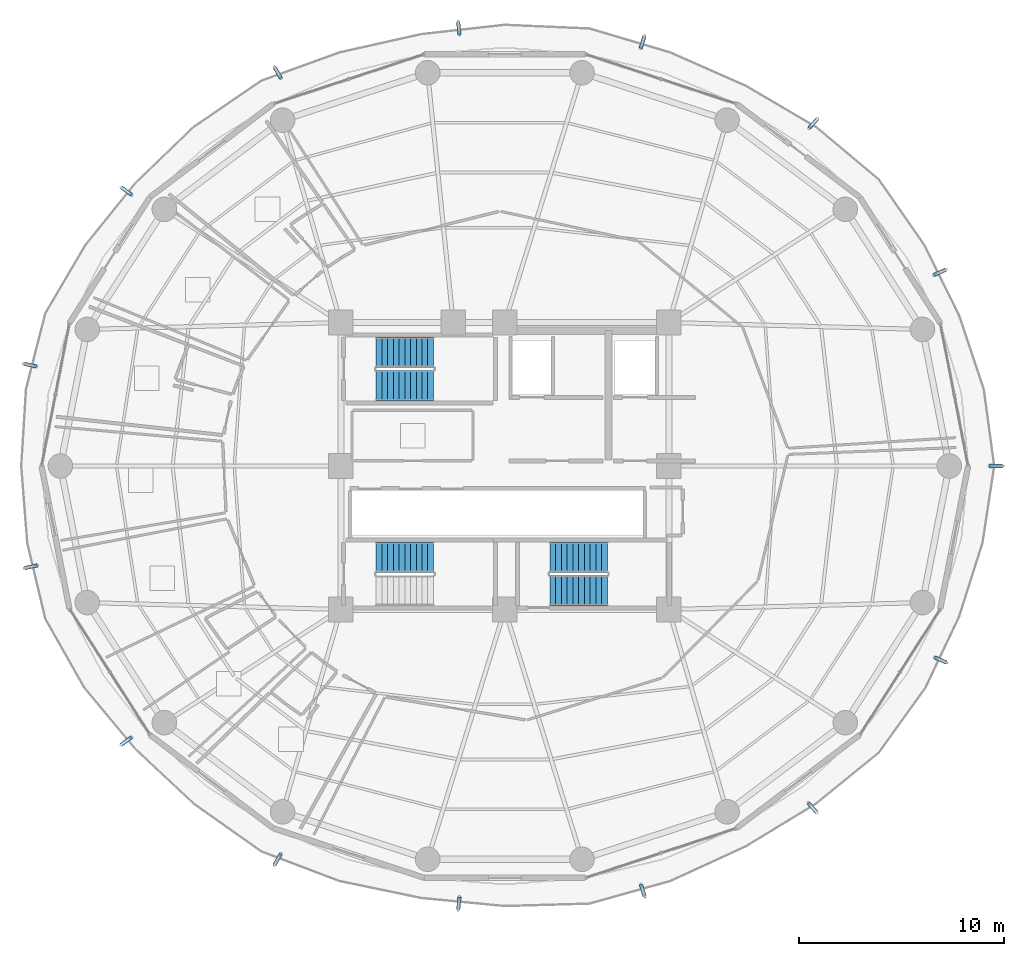
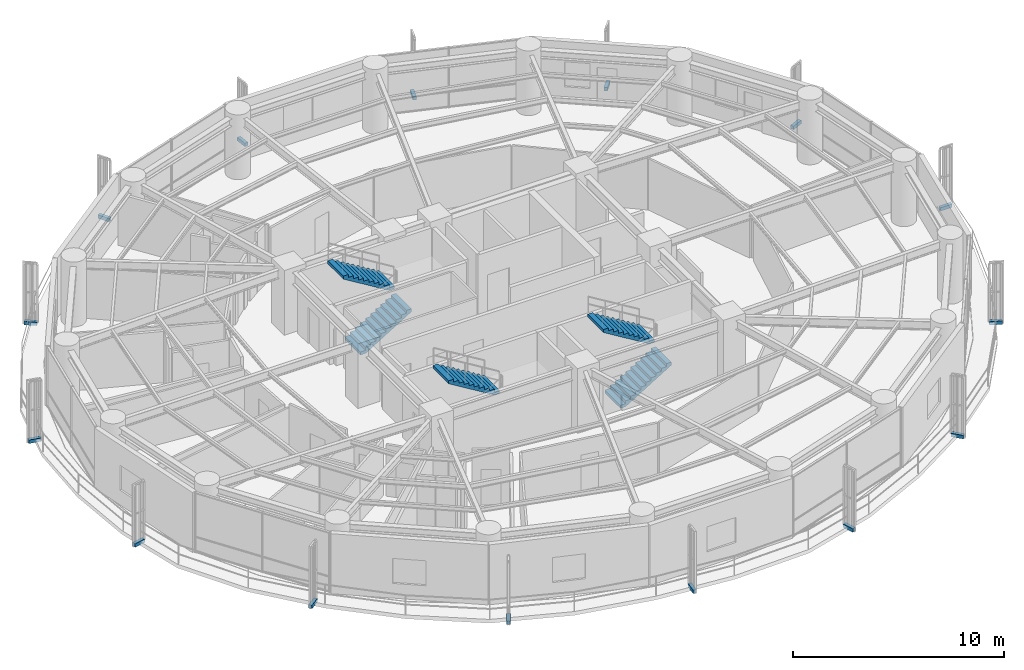
# One storey, part 25 of 28: 15 discrete accessories, 5 stair flights, 3 elements without a shape of their own.
"""IFC4 building model written with IfcOpenShell, lengths in metres."""

from ifc_helpers import new_model, si_unit, direction, frame, origin, origin_2d, place, context, subcontext, project, spatial, polyline, rectangle, outline, extrude, source, transform, mapped, material, type_object, element, aggregate, save


model = new_model("IFC4")

# Units and contexts
model_context = context("Model", 3, precision=1e-05, world=origin(), true_north=direction((0.0, 1.0)))
body_context = subcontext(model_context, "Body", "Model", "MODEL_VIEW")
ifc_project = project(units=[si_unit("LENGTHUNIT", "METRE"), si_unit("AREAUNIT", "SQUARE_METRE"), si_unit("VOLUMEUNIT", "CUBIC_METRE"), si_unit("PLANEANGLEUNIT", "RADIAN"), si_unit("MASSUNIT", "GRAM", prefix="KILO")], contexts=[model_context])

# Site, building, storey
site_placement = place(None, origin())
site = spatial("IfcSite", under=ifc_project, at=site_placement, CompositionType="ELEMENT")
building_placement = place(site_placement, origin())
building = spatial("IfcBuilding", under=site, at=building_placement, Name="Kelanora Arch Commons", CompositionType="ELEMENT")
storey_placement = place(building_placement, frame((0.0, 0.0, 158.10009765625)))
storey = spatial("IfcBuildingStorey", under=building, at=storey_placement, Name="L40", CompositionType="ELEMENT", Elevation=158.10009765625)

# Stair, stair flights
ifc_material_1 = material(Name="Concrete C40/50", Category="concrete")
stair_type = type_object("IfcStairType", Name="STR-DL-375", PredefinedType="HALF_TURN_STAIR", material=ifc_material_1)
stair_1_placement = place(storey_placement, origin())
stair_1 = element("IfcStair", 1, at=stair_1_placement, inside=storey, type_object=stair_type, Name="L40 ST-T1", PredefinedType="HALF_TURN_STAIR")
stair_flight_type = type_object("IfcStairFlightType", Name="FLT-DL-375", PredefinedType="STRAIGHT", material=ifc_material_1)
stair_flight_1_placement = place(storey_placement, frame((67.719970703125, 61.919921875, 0.0), z_axis=(0.0, 0.0, 1.0), x_axis=(1.0, 0.0, 0.0)))
stair_flight_1 = element("IfcStairFlight", 2, at=stair_flight_1_placement, type_object=stair_flight_type, Name="ST-T1 flight 1", NumberOfRisers=11, NumberOfTreads=10, PredefinedType="STRAIGHT", RiserHeight=0.170454545, TreadLength=0.28, context=body_context, shape_type="SweptSolid", body=[
    extrude(outline(polyline([(0.0, 0.0), (0.0, 0.17041015625), (0.280029296875, 0.17041015625), (0.280029296875, 0.3408203125), (0.56005859375, 0.3408203125), (0.56005859375, 0.511474609375), (0.840087890625, 0.511474609375), (0.840087890625, 0.681884765625), (1.1201171875, 0.681884765625), (1.1201171875, 0.852294921875), (1.39990234375, 0.852294921875), (1.39990234375, 1.022705078125), (1.679931640625, 1.022705078125), (1.679931640625, 1.193115234375), (1.9599609375, 1.193115234375), (1.9599609375, 1.363525390625), (2.239990234375, 1.363525390625), (2.239990234375, 1.5341796875), (2.52001953125, 1.5341796875), (2.52001953125, 1.70458984375), (2.800048828125, 1.70458984375), (2.800048828125, 1.875), (2.800048828125, 1.529052734375), (0.288330078125, 0.0), (0.0, 0.0)])), frame((0.0, 0.739990234375, 0.0), z_axis=(0.0, -1.0, 0.0), x_axis=(1.0, 0.0, 0.0)), (0.0, 0.0, 1.0), 1.47998046875),
])
stair_flight_2_placement = place(storey_placement, frame((70.52001953125, 63.550048828125, 1.875), z_axis=(0.0, 0.0, 1.0), x_axis=(-1.0, 0.0, 0.0)))
stair_flight_2 = element("IfcStairFlight", 3, at=stair_flight_2_placement, type_object=stair_flight_type, Name="ST-T1 flight 2", NumberOfRisers=11, NumberOfTreads=10, PredefinedType="STRAIGHT", RiserHeight=0.170454545, TreadLength=0.28, context=body_context, shape_type="SweptSolid", body=[
    extrude(outline(polyline([(0.0, 0.0), (0.0, 0.17041015625), (0.280029296875, 0.17041015625), (0.280029296875, 0.3408203125), (0.56005859375, 0.3408203125), (0.56005859375, 0.511474609375), (0.840087890625, 0.511474609375), (0.840087890625, 0.681884765625), (1.1201171875, 0.681884765625), (1.1201171875, 0.852294921875), (1.39990234375, 0.852294921875), (1.39990234375, 1.022705078125), (1.679931640625, 1.022705078125), (1.679931640625, 1.193115234375), (1.9599609375, 1.193115234375), (1.9599609375, 1.363525390625), (2.239990234375, 1.363525390625), (2.239990234375, 1.5341796875), (2.52001953125, 1.5341796875), (2.52001953125, 1.70458984375), (2.800048828125, 1.70458984375), (2.800048828125, 1.875), (2.800048828125, 1.529052734375), (0.288330078125, 0.0), (0.0, 0.0)])), frame((0.0, 0.739990234375, 0.0), z_axis=(0.0, -1.0, 0.0), x_axis=(1.0, 0.0, 0.0)), (0.0, 0.0, 1.0), 1.47998046875),
])
aggregate(stair_1, [stair_flight_1, stair_flight_2])

stair_2_placement = place(storey_placement, origin())
stair_2 = element("IfcStair", 4, at=stair_2_placement, inside=storey, type_object=stair_type, Name="L40 ST-T2", PredefinedType="HALF_TURN_STAIR")
stair_flight_3_placement = place(storey_placement, frame((76.199951171875, 51.919921875, 0.0), z_axis=(0.0, 0.0, 1.0), x_axis=(1.0, 0.0, 0.0)))
stair_flight_3 = element("IfcStairFlight", 5, at=stair_flight_3_placement, type_object=stair_flight_type, Name="ST-T2 flight 1", NumberOfRisers=11, NumberOfTreads=10, PredefinedType="STRAIGHT", RiserHeight=0.170454545, TreadLength=0.28, context=body_context, shape_type="SweptSolid", body=[
    extrude(outline(polyline([(0.0, 0.0), (0.0, 0.17041015625), (0.280029296875, 0.17041015625), (0.280029296875, 0.3408203125), (0.56005859375, 0.3408203125), (0.56005859375, 0.511474609375), (0.840087890625, 0.511474609375), (0.840087890625, 0.681884765625), (1.1201171875, 0.681884765625), (1.1201171875, 0.852294921875), (1.39990234375, 0.852294921875), (1.39990234375, 1.022705078125), (1.679931640625, 1.022705078125), (1.679931640625, 1.193115234375), (1.9599609375, 1.193115234375), (1.9599609375, 1.363525390625), (2.239990234375, 1.363525390625), (2.239990234375, 1.5341796875), (2.52001953125, 1.5341796875), (2.52001953125, 1.70458984375), (2.800048828125, 1.70458984375), (2.800048828125, 1.875), (2.800048828125, 1.529052734375), (0.288330078125, 0.0), (0.0, 0.0)])), frame((0.0, 0.739990234375, 0.0), z_axis=(0.0, -1.0, 0.0), x_axis=(1.0, 0.0, 0.0)), (0.0, 0.0, 1.0), 1.47998046875),
])
stair_flight_4_placement = place(storey_placement, frame((79.0, 53.550048828125, 1.875), z_axis=(0.0, 0.0, 1.0), x_axis=(-1.0, 0.0, 0.0)))
stair_flight_4 = element("IfcStairFlight", 6, at=stair_flight_4_placement, type_object=stair_flight_type, Name="ST-T2 flight 2", NumberOfRisers=11, NumberOfTreads=10, PredefinedType="STRAIGHT", RiserHeight=0.170454545, TreadLength=0.28, context=body_context, shape_type="SweptSolid", body=[
    extrude(outline(polyline([(0.0, 0.0), (0.0, 0.17041015625), (0.280029296875, 0.17041015625), (0.280029296875, 0.3408203125), (0.56005859375, 0.3408203125), (0.56005859375, 0.511474609375), (0.840087890625, 0.511474609375), (0.840087890625, 0.681884765625), (1.1201171875, 0.681884765625), (1.1201171875, 0.852294921875), (1.39990234375, 0.852294921875), (1.39990234375, 1.022705078125), (1.679931640625, 1.022705078125), (1.679931640625, 1.193115234375), (1.9599609375, 1.193115234375), (1.9599609375, 1.363525390625), (2.239990234375, 1.363525390625), (2.239990234375, 1.5341796875), (2.52001953125, 1.5341796875), (2.52001953125, 1.70458984375), (2.800048828125, 1.70458984375), (2.800048828125, 1.875), (2.800048828125, 1.529052734375), (0.288330078125, 0.0), (0.0, 0.0)])), frame((0.0, 0.739990234375, 0.0), z_axis=(0.0, -1.0, 0.0), x_axis=(1.0, 0.0, 0.0)), (0.0, 0.0, 1.0), 1.47998046875),
])
aggregate(stair_2, [stair_flight_3, stair_flight_4])

# Stair, stair flight
stair_3_placement = place(storey_placement, origin())
stair_3 = element("IfcStair", 7, at=stair_3_placement, inside=storey, type_object=stair_type, Name="L40 ST-T3", PredefinedType="HALF_TURN_STAIR")
stair_flight_5_placement = place(storey_placement, frame((70.52001953125, 53.550048828125, 1.875), z_axis=(0.0, 0.0, 1.0), x_axis=(-1.0, 0.0, 0.0)))
stair_flight_5 = element("IfcStairFlight", 8, at=stair_flight_5_placement, type_object=stair_flight_type, Name="ST-T3 flight 2", NumberOfRisers=11, NumberOfTreads=10, PredefinedType="STRAIGHT", RiserHeight=0.170454545, TreadLength=0.28, context=body_context, shape_type="SweptSolid", body=[
    extrude(outline(polyline([(0.0, 0.0), (0.0, 0.17041015625), (0.280029296875, 0.17041015625), (0.280029296875, 0.3408203125), (0.56005859375, 0.3408203125), (0.56005859375, 0.511474609375), (0.840087890625, 0.511474609375), (0.840087890625, 0.681884765625), (1.1201171875, 0.681884765625), (1.1201171875, 0.852294921875), (1.39990234375, 0.852294921875), (1.39990234375, 1.022705078125), (1.679931640625, 1.022705078125), (1.679931640625, 1.193115234375), (1.9599609375, 1.193115234375), (1.9599609375, 1.363525390625), (2.239990234375, 1.363525390625), (2.239990234375, 1.5341796875), (2.52001953125, 1.5341796875), (2.52001953125, 1.70458984375), (2.800048828125, 1.70458984375), (2.800048828125, 1.875), (2.800048828125, 1.529052734375), (0.288330078125, 0.0), (0.0, 0.0)])), frame((0.0, 0.739990234375, 0.0), z_axis=(0.0, -1.0, 0.0), x_axis=(1.0, 0.0, 0.0)), (0.0, 0.0, 1.0), 1.47998046875),
])
aggregate(stair_3, [stair_flight_5])

# Discrete accessories
ifc_material_2 = material(Name="Stainless steel 316 marine fin bracket", Category="steel")
discrete_accessory_type = type_object("IfcDiscreteAccessoryType", Name="ACC-FIN-BRK", PredefinedType="BRACKET", material=ifc_material_2)
shared_shape = source(origin(), body_context, "Body", "SweptSolid", [
    extrude(rectangle(XDim=0.621337890625, YDim=0.179931640625, at=origin_2d()), origin(), (0.0, 0.0, 1.0), 0.199951171875),
])
for number, where, z_axis, x_axis, name in (
    (9, (97.95947265625, 58.0, -0.16015625), (0.0, 0.0, 1.0), (1.0, 0.0, 0.0), "Sweeping Fin Cantilever Spine Bracket L40-00"),
    (10, (95.219482421875, 67.447509765625, -0.16015625), (0.0, 0.0, 1.0), (0.913545457643, 0.406736643076, 0.0), "Sweeping Fin Cantilever Spine Bracket L40-01"),
    (11, (89.051513671875, 74.71630859375, -0.16015625), (0.0, 0.0, 1.0), (0.669130606359, 0.743144825477, 0.0), "Sweeping Fin Cantilever Spine Bracket L40-02"),
    (12, (80.716064453125, 78.669677734375, -0.16015625), (0.0, 0.0, 1.0), (0.309016994375, 0.951056516295, 0.0), "Sweeping Fin Cantilever Spine Bracket L40-03"),
    (13, (71.754638671875, 79.36328125, -0.16015625), (0.0, 0.0, 1.0), (-0.104528463268, 0.994521895368, 0.0), "Sweeping Fin Cantilever Spine Bracket L40-04"),
    (14, (62.925537109375, 77.181396484375, -0.16015625), (0.0, 0.0, 1.0), (-0.5, 0.866025403784, 0.0), "Sweeping Fin Cantilever Spine Bracket L40-05"),
    (15, (55.542724609375, 71.409912109375, -0.16015625), (0.0, 0.0, 1.0), (-0.809016994375, 0.587785252292, 0.0), "Sweeping Fin Cantilever Spine Bracket L40-06"),
    (16, (50.845703125, 62.921630859375, -0.16015625), (0.0, 0.0, 1.0), (-0.978147600734, 0.207911690818, 0.0), "Sweeping Fin Cantilever Spine Bracket L40-07"),
    (17, (50.887939453125, 53.08740234375, -0.16015625), (0.0, 0.0, 1.0), (-0.978147600734, -0.207911690818, 0.0), "Sweeping Fin Cantilever Spine Bracket L40-08"),
    (18, (55.535400390625, 44.584716796875, -0.16015625), (0.0, 0.0, 1.0), (-0.809016994375, -0.587785252292, 0.0), "Sweeping Fin Cantilever Spine Bracket L40-09"),
    (19, (62.918701171875, 38.806396484375, -0.16015625), (0.0, 0.0, 1.0), (-0.5, -0.866025403784, 0.0), "Sweeping Fin Cantilever Spine Bracket L40-10"),
    (20, (71.757568359375, 36.66455078125, -0.16015625), (0.0, 0.0, 1.0), (-0.104528463268, -0.994521895368, 0.0), "Sweeping Fin Cantilever Spine Bracket L40-11"),
    (21, (80.728515625, 37.29150390625, -0.16015625), (0.0, 0.0, 1.0), (0.309016994375, -0.951056516295, 0.0), "Sweeping Fin Cantilever Spine Bracket L40-12"),
    (22, (89.01171875, 41.327880859375, -0.16015625), (0.0, 0.0, 1.0), (0.669130606359, -0.743144825477, 0.0), "Sweeping Fin Cantilever Spine Bracket L40-13"),
    (23, (95.25341796875, 48.537353515625, -0.16015625), (0.0, 0.0, 1.0), (0.913545457643, -0.406736643076, 0.0), "Sweeping Fin Cantilever Spine Bracket L40-14"),
):
    element("IfcDiscreteAccessory", number, at=place(storey_placement, frame(where, z_axis=z_axis, x_axis=x_axis)), inside=storey, type_object=discrete_accessory_type, Name=name, PredefinedType="BRACKET", context=body_context, shape_type="MappedRepresentation", body=[
        mapped(shared_shape, transform((0.0, 0.0, 0.0), scale=1.0)),
    ])

save(model, "model.ifc")
